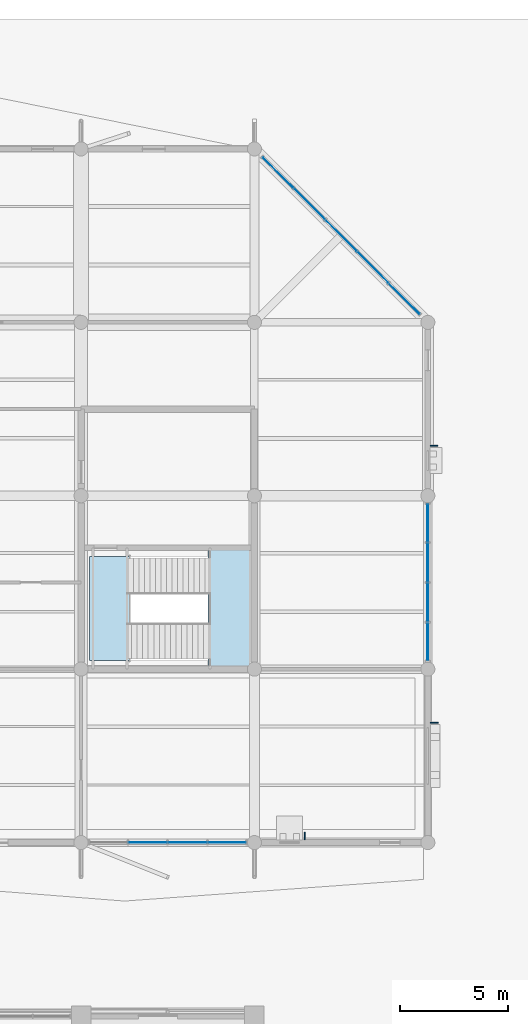
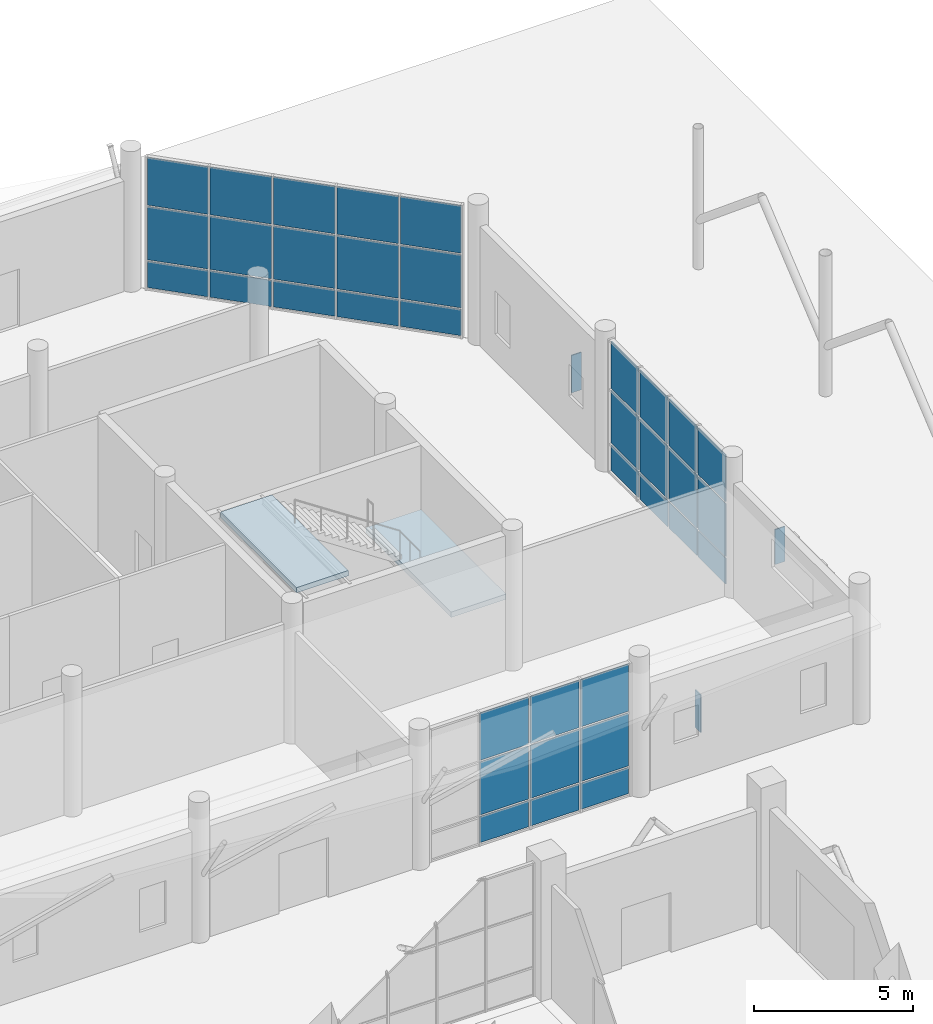
# One storey, part 92 of 123: 39 plates, 2 slabs, 4 elements without a shape of their own.
"""IFC4 building model written with IfcOpenShell, lengths in metres."""

from ifc_helpers import new_model, si_unit, direction, frame, origin, origin_2d, place, context, subcontext, project, spatial, polyline, rectangle, outline, extrude, material, layer, layer_set, type_object, element, aggregate, save


model = new_model("IFC4")

# Units and contexts
model_context = context("Model", 3, precision=1e-05, world=origin(), true_north=direction((0.0, 1.0)))
body_context = subcontext(model_context, "Body", "Model", "MODEL_VIEW")
ifc_project = project(units=[si_unit("LENGTHUNIT", "METRE"), si_unit("AREAUNIT", "SQUARE_METRE"), si_unit("VOLUMEUNIT", "CUBIC_METRE"), si_unit("PLANEANGLEUNIT", "RADIAN"), si_unit("MASSUNIT", "GRAM", prefix="KILO")], contexts=[model_context])

# Site, building, storey
site_placement = place(None, origin())
site = spatial("IfcSite", under=ifc_project, at=site_placement, CompositionType="ELEMENT")
building_placement = place(site_placement, origin())
building = spatial("IfcBuilding", under=site, at=building_placement, Name="Tenunan Teduh Sports Hall", CompositionType="ELEMENT")
storey_placement = place(building_placement, origin())
storey = spatial("IfcBuildingStorey", under=building, at=storey_placement, Name="L00", CompositionType="ELEMENT", Elevation=0.0)

# Curtain wall, plates
ifc_material_1 = material(Name="Anodised aluminium", Category="aluminium")
curtain_wall_type = type_object("IfcCurtainWallType", Name="CW-UNIT-1", PredefinedType="NOTDEFINED", material=ifc_material_1)
curtain_wall_1_placement = place(storey_placement, origin())
curtain_wall_1 = element("IfcCurtainWall", 1, at=curtain_wall_1_placement, inside=storey, type_object=curtain_wall_type, Name="CW-CWM-200-L00-236", PredefinedType="NOTDEFINED")
ifc_material_2 = material(Name="Low-E laminated double glazing", Category="glass")
ifc_layer_1 = layer(ifc_material_2, 0.028076171875)
ifc_layer_set_1 = layer_set([ifc_layer_1], Name="Low-E laminated double glazing")
plate_type_1 = type_object("IfcPlateType", Name="CWP-GLZ-28", PredefinedType="CURTAIN_PANEL", material=ifc_layer_set_1)
plate_1_placement = place(storey_placement, frame((149.081298828125, 86.0, 1.134765625), z_axis=(0.0, 0.0, 1.0), x_axis=(1.0, 0.0, 0.0)))
plate_1 = element("IfcPlate", 2, at=plate_1_placement, type_object=plate_type_1, Name="CW-01 panel 2.2", PredefinedType="CURTAIN_PANEL", context=body_context, shape_type="SweptSolid", body=[
    extrude(rectangle(XDim=1.767578125, YDim=0.028076171875, at=origin_2d()), origin(), (0.0, 0.0, 1.0), 2.030029296875),
])
plate_2_placement = place(storey_placement, frame((149.081298828125, 86.0, 3.235107421875), z_axis=(0.0, 0.0, 1.0), x_axis=(1.0, 0.0, 0.0)))
plate_2 = element("IfcPlate", 3, at=plate_2_placement, type_object=plate_type_1, Name="CW-01 panel 2.3", PredefinedType="CURTAIN_PANEL", context=body_context, shape_type="SweptSolid", body=[
    extrude(rectangle(XDim=1.767578125, YDim=0.028076171875, at=origin_2d()), origin(), (0.0, 0.0, 1.0), 1.81494140625),
])
plate_3_placement = place(storey_placement, frame((150.918701171875, 86.0, 1.134765625), z_axis=(0.0, 0.0, 1.0), x_axis=(1.0, 0.0, 0.0)))
plate_3 = element("IfcPlate", 4, at=plate_3_placement, type_object=plate_type_1, Name="CW-01 panel 3.2", PredefinedType="CURTAIN_PANEL", context=body_context, shape_type="SweptSolid", body=[
    extrude(rectangle(XDim=1.767578125, YDim=0.028076171875, at=origin_2d()), origin(), (0.0, 0.0, 1.0), 2.030029296875),
])
plate_4_placement = place(storey_placement, frame((150.918701171875, 86.0, 3.235107421875), z_axis=(0.0, 0.0, 1.0), x_axis=(1.0, 0.0, 0.0)))
plate_4 = element("IfcPlate", 5, at=plate_4_placement, type_object=plate_type_1, Name="CW-01 panel 3.3", PredefinedType="CURTAIN_PANEL", context=body_context, shape_type="SweptSolid", body=[
    extrude(rectangle(XDim=1.767578125, YDim=0.028076171875, at=origin_2d()), origin(), (0.0, 0.0, 1.0), 1.81494140625),
])
plate_5_placement = place(storey_placement, frame((152.73876953125, 86.0, 1.134765625), z_axis=(0.0, 0.0, 1.0), x_axis=(1.0, 0.0, 0.0)))
plate_5 = element("IfcPlate", 6, at=plate_5_placement, type_object=plate_type_1, Name="CW-01 panel 4.2", PredefinedType="CURTAIN_PANEL", context=body_context, shape_type="SweptSolid", body=[
    extrude(rectangle(XDim=1.732421875, YDim=0.028076171875, at=origin_2d()), origin(), (0.0, 0.0, 1.0), 2.030029296875),
])
plate_6_placement = place(storey_placement, frame((152.73876953125, 86.0, 3.235107421875), z_axis=(0.0, 0.0, 1.0), x_axis=(1.0, 0.0, 0.0)))
plate_6 = element("IfcPlate", 7, at=plate_6_placement, type_object=plate_type_1, Name="CW-01 panel 4.3", PredefinedType="CURTAIN_PANEL", context=body_context, shape_type="SweptSolid", body=[
    extrude(rectangle(XDim=1.732421875, YDim=0.028076171875, at=origin_2d()), origin(), (0.0, 0.0, 1.0), 1.81494140625),
])

curtain_wall_2_placement = place(storey_placement, origin())
curtain_wall_2 = element("IfcCurtainWall", 8, at=curtain_wall_2_placement, inside=storey, type_object=curtain_wall_type, Name="CW-CWM-175-L00-238", PredefinedType="NOTDEFINED")
plate_7_placement = place(storey_placement, frame((155.08447265625, 116.91552734375, 1.13232421875), z_axis=(0.0, 0.0, 1.0), x_axis=(0.707106781187, -0.707106781187, 0.0)))
plate_7 = element("IfcPlate", 9, at=plate_7_placement, type_object=plate_type_1, Name="CW-01 panel 1.2", PredefinedType="CURTAIN_PANEL", context=body_context, shape_type="SweptSolid", body=[
    extrude(rectangle(XDim=1.97216796875, YDim=0.028076171875, at=origin_2d()), origin(), (0.0, 0.0, 1.0), 2.034912109375),
])
plate_8_placement = place(storey_placement, frame((155.08447265625, 116.91552734375, 3.232421875), z_axis=(0.0, 0.0, 1.0), x_axis=(0.707106781187, -0.707106781187, 0.0)))
plate_8 = element("IfcPlate", 10, at=plate_8_placement, type_object=plate_type_1, Name="CW-01 panel 1.3", PredefinedType="CURTAIN_PANEL", context=body_context, shape_type="SweptSolid", body=[
    extrude(rectangle(XDim=1.97216796875, YDim=0.028076171875, at=origin_2d()), origin(), (0.0, 0.0, 1.0), 1.822509765625),
])
plate_9_placement = place(storey_placement, frame((156.53662109375, 115.46337890625, 1.13232421875), z_axis=(0.0, 0.0, 1.0), x_axis=(0.707106781187, -0.707106781187, 0.0)))
plate_9 = element("IfcPlate", 11, at=plate_9_placement, type_object=plate_type_1, Name="CW-01 panel 2.2", PredefinedType="CURTAIN_PANEL", context=body_context, shape_type="SweptSolid", body=[
    extrude(rectangle(XDim=2.004638671875, YDim=0.028076171875, at=origin_2d()), origin(), (0.0, 0.0, 1.0), 2.034912109375),
])
plate_10_placement = place(storey_placement, frame((156.53662109375, 115.46337890625, 3.232421875), z_axis=(0.0, 0.0, 1.0), x_axis=(0.707106781187, -0.707106781187, 0.0)))
plate_10 = element("IfcPlate", 12, at=plate_10_placement, type_object=plate_type_1, Name="CW-01 panel 2.3", PredefinedType="CURTAIN_PANEL", context=body_context, shape_type="SweptSolid", body=[
    extrude(rectangle(XDim=2.004638671875, YDim=0.028076171875, at=origin_2d()), origin(), (0.0, 0.0, 1.0), 1.822509765625),
])
plate_11_placement = place(storey_placement, frame((158.0, 114.0, 1.13232421875), z_axis=(0.0, 0.0, 1.0), x_axis=(0.707106781187, -0.707106781187, 0.0)))
plate_11 = element("IfcPlate", 13, at=plate_11_placement, type_object=plate_type_1, Name="CW-01 panel 3.2", PredefinedType="CURTAIN_PANEL", context=body_context, shape_type="SweptSolid", body=[
    extrude(rectangle(XDim=2.004638671875, YDim=0.028076171875, at=origin_2d()), origin(), (0.0, 0.0, 1.0), 2.034912109375),
])
plate_12_placement = place(storey_placement, frame((158.0, 114.0, 3.232421875), z_axis=(0.0, 0.0, 1.0), x_axis=(0.707106781187, -0.707106781187, 0.0)))
plate_12 = element("IfcPlate", 14, at=plate_12_placement, type_object=plate_type_1, Name="CW-01 panel 3.3", PredefinedType="CURTAIN_PANEL", context=body_context, shape_type="SweptSolid", body=[
    extrude(rectangle(XDim=2.004638671875, YDim=0.028076171875, at=origin_2d()), origin(), (0.0, 0.0, 1.0), 1.822509765625),
])
plate_13_placement = place(storey_placement, frame((159.46337890625, 112.53662109375, 1.13232421875), z_axis=(0.0, 0.0, 1.0), x_axis=(0.707106781187, -0.707106781187, 0.0)))
plate_13 = element("IfcPlate", 15, at=plate_13_placement, type_object=plate_type_1, Name="CW-01 panel 4.2", PredefinedType="CURTAIN_PANEL", context=body_context, shape_type="SweptSolid", body=[
    extrude(rectangle(XDim=2.004638671875, YDim=0.028076171875, at=origin_2d()), origin(), (0.0, 0.0, 1.0), 2.034912109375),
])
plate_14_placement = place(storey_placement, frame((159.46337890625, 112.53662109375, 3.232421875), z_axis=(0.0, 0.0, 1.0), x_axis=(0.707106781187, -0.707106781187, 0.0)))
plate_14 = element("IfcPlate", 16, at=plate_14_placement, type_object=plate_type_1, Name="CW-01 panel 4.3", PredefinedType="CURTAIN_PANEL", context=body_context, shape_type="SweptSolid", body=[
    extrude(rectangle(XDim=2.004638671875, YDim=0.028076171875, at=origin_2d()), origin(), (0.0, 0.0, 1.0), 1.822509765625),
])
plate_15_placement = place(storey_placement, frame((160.91552734375, 111.08447265625, 1.13232421875), z_axis=(0.0, 0.0, 1.0), x_axis=(0.707106781187, -0.707106781187, 0.0)))
plate_15 = element("IfcPlate", 17, at=plate_15_placement, type_object=plate_type_1, Name="CW-01 panel 5.2", PredefinedType="CURTAIN_PANEL", context=body_context, shape_type="SweptSolid", body=[
    extrude(rectangle(XDim=1.97216796875, YDim=0.028076171875, at=origin_2d()), origin(), (0.0, 0.0, 1.0), 2.034912109375),
])
plate_16_placement = place(storey_placement, frame((160.91552734375, 111.08447265625, 3.232421875), z_axis=(0.0, 0.0, 1.0), x_axis=(0.707106781187, -0.707106781187, 0.0)))
plate_16 = element("IfcPlate", 18, at=plate_16_placement, type_object=plate_type_1, Name="CW-01 panel 5.3", PredefinedType="CURTAIN_PANEL", context=body_context, shape_type="SweptSolid", body=[
    extrude(rectangle(XDim=1.97216796875, YDim=0.028076171875, at=origin_2d()), origin(), (0.0, 0.0, 1.0), 1.822509765625),
])

curtain_wall_3_placement = place(storey_placement, origin())
curtain_wall_3 = element("IfcCurtainWall", 19, at=curtain_wall_3_placement, inside=storey, type_object=curtain_wall_type, Name="CW-CWM-220-L00-237", PredefinedType="NOTDEFINED")
ifc_material_3 = material(Name="Solar-control laminated glazing", Category="glass")
ifc_layer_2 = layer(ifc_material_3, 0.031982421875)
ifc_layer_set_2 = layer_set([ifc_layer_2], Name="Solar-control laminated glazing")
plate_type_2 = type_object("IfcPlateType", Name="CWP-GLZ-32", PredefinedType="CURTAIN_PANEL", material=ifc_layer_set_2)
plate_17_placement = place(storey_placement, frame((162.0, 95.262451171875, 1.137451171875), z_axis=(0.0, 0.0, 1.0), x_axis=(0.0, 1.0, 0.0)))
plate_17 = element("IfcPlate", 20, at=plate_17_placement, type_object=plate_type_2, Name="CW-01 panel 1.2", PredefinedType="CURTAIN_PANEL", context=body_context, shape_type="SweptSolid", body=[
    extrude(rectangle(XDim=1.72509765625, YDim=0.031982421875, at=origin_2d()), origin(), (0.0, 0.0, 1.0), 2.02490234375),
])
plate_18_placement = place(storey_placement, frame((162.0, 95.262451171875, 3.237548828125), z_axis=(0.0, 0.0, 1.0), x_axis=(0.0, 1.0, 0.0)))
plate_18 = element("IfcPlate", 21, at=plate_18_placement, type_object=plate_type_2, Name="CW-01 panel 1.3", PredefinedType="CURTAIN_PANEL", context=body_context, shape_type="SweptSolid", body=[
    extrude(rectangle(XDim=1.72509765625, YDim=0.031982421875, at=origin_2d()), origin(), (0.0, 0.0, 1.0), 1.8076171875),
])
plate_19_placement = place(storey_placement, frame((162.0, 97.081298828125, 1.137451171875), z_axis=(0.0, 0.0, 1.0), x_axis=(0.0, 1.0, 0.0)))
plate_19 = element("IfcPlate", 22, at=plate_19_placement, type_object=plate_type_2, Name="CW-01 panel 2.2", PredefinedType="CURTAIN_PANEL", context=body_context, shape_type="SweptSolid", body=[
    extrude(rectangle(XDim=1.762451171875, YDim=0.031982421875, at=origin_2d()), origin(), (0.0, 0.0, 1.0), 2.02490234375),
])
plate_20_placement = place(storey_placement, frame((162.0, 97.081298828125, 3.237548828125), z_axis=(0.0, 0.0, 1.0), x_axis=(0.0, 1.0, 0.0)))
plate_20 = element("IfcPlate", 23, at=plate_20_placement, type_object=plate_type_2, Name="CW-01 panel 2.3", PredefinedType="CURTAIN_PANEL", context=body_context, shape_type="SweptSolid", body=[
    extrude(rectangle(XDim=1.762451171875, YDim=0.031982421875, at=origin_2d()), origin(), (0.0, 0.0, 1.0), 1.8076171875),
])
plate_21_placement = place(storey_placement, frame((162.0, 98.918701171875, 1.137451171875), z_axis=(0.0, 0.0, 1.0), x_axis=(0.0, 1.0, 0.0)))
plate_21 = element("IfcPlate", 24, at=plate_21_placement, type_object=plate_type_2, Name="CW-01 panel 3.2", PredefinedType="CURTAIN_PANEL", context=body_context, shape_type="SweptSolid", body=[
    extrude(rectangle(XDim=1.762451171875, YDim=0.031982421875, at=origin_2d()), origin(), (0.0, 0.0, 1.0), 2.02490234375),
])
plate_22_placement = place(storey_placement, frame((162.0, 98.918701171875, 3.237548828125), z_axis=(0.0, 0.0, 1.0), x_axis=(0.0, 1.0, 0.0)))
plate_22 = element("IfcPlate", 25, at=plate_22_placement, type_object=plate_type_2, Name="CW-01 panel 3.3", PredefinedType="CURTAIN_PANEL", context=body_context, shape_type="SweptSolid", body=[
    extrude(rectangle(XDim=1.762451171875, YDim=0.031982421875, at=origin_2d()), origin(), (0.0, 0.0, 1.0), 1.8076171875),
])
plate_23_placement = place(storey_placement, frame((162.0, 100.737548828125, 1.137451171875), z_axis=(0.0, 0.0, 1.0), x_axis=(0.0, 1.0, 0.0)))
plate_23 = element("IfcPlate", 26, at=plate_23_placement, type_object=plate_type_2, Name="CW-01 panel 4.2", PredefinedType="CURTAIN_PANEL", context=body_context, shape_type="SweptSolid", body=[
    extrude(rectangle(XDim=1.72509765625, YDim=0.031982421875, at=origin_2d()), origin(), (0.0, 0.0, 1.0), 2.02490234375),
])
plate_24_placement = place(storey_placement, frame((162.0, 100.737548828125, 3.237548828125), z_axis=(0.0, 0.0, 1.0), x_axis=(0.0, 1.0, 0.0)))
plate_24 = element("IfcPlate", 27, at=plate_24_placement, type_object=plate_type_2, Name="CW-01 panel 4.3", PredefinedType="CURTAIN_PANEL", context=body_context, shape_type="SweptSolid", body=[
    extrude(rectangle(XDim=1.72509765625, YDim=0.031982421875, at=origin_2d()), origin(), (0.0, 0.0, 1.0), 1.8076171875),
])

# Plate
ifc_material_4 = material(Name="Insulated aluminium spandrel panel", Category="aluminium")
ifc_layer_3 = layer(ifc_material_4, 0.044921875)
ifc_layer_set_3 = layer_set([ifc_layer_3], Name="Insulated aluminium spandrel panel")
plate_type_3 = type_object("IfcPlateType", Name="CWP-SPN-45", PredefinedType="CURTAIN_PANEL", material=ifc_layer_set_3)
plate_25_placement = place(storey_placement, frame((149.081298828125, 86.0, 0.06982421875), z_axis=(0.0, 0.0, 1.0), x_axis=(1.0, 0.0, 0.0)))
plate_25 = element("IfcPlate", 28, at=plate_25_placement, type_object=plate_type_3, Name="CW-01 panel 2.1", PredefinedType="CURTAIN_PANEL", context=body_context, shape_type="SweptSolid", body=[
    extrude(rectangle(XDim=1.767578125, YDim=0.028076171875, at=origin_2d()), origin(), (0.0, 0.0, 1.0), 0.9951171875),
])

plate_26_placement = place(storey_placement, frame((150.918701171875, 86.0, 0.06982421875), z_axis=(0.0, 0.0, 1.0), x_axis=(1.0, 0.0, 0.0)))
plate_26 = element("IfcPlate", 29, at=plate_26_placement, type_object=plate_type_3, Name="CW-01 panel 3.1", PredefinedType="CURTAIN_PANEL", context=body_context, shape_type="SweptSolid", body=[
    extrude(rectangle(XDim=1.767578125, YDim=0.028076171875, at=origin_2d()), origin(), (0.0, 0.0, 1.0), 0.9951171875),
])

plate_27_placement = place(storey_placement, frame((152.73876953125, 86.0, 0.06982421875), z_axis=(0.0, 0.0, 1.0), x_axis=(1.0, 0.0, 0.0)))
plate_27 = element("IfcPlate", 30, at=plate_27_placement, type_object=plate_type_3, Name="CW-01 panel 4.1", PredefinedType="CURTAIN_PANEL", context=body_context, shape_type="SweptSolid", body=[
    extrude(rectangle(XDim=1.732421875, YDim=0.028076171875, at=origin_2d()), origin(), (0.0, 0.0, 1.0), 0.9951171875),
])

aggregate(curtain_wall_1, [plate_25, plate_1, plate_2, plate_26, plate_3, plate_4, plate_27, plate_5, plate_6])

plate_28_placement = place(storey_placement, frame((162.0, 95.262451171875, 0.0751953125), z_axis=(0.0, 0.0, 1.0), x_axis=(0.0, 1.0, 0.0)))
plate_28 = element("IfcPlate", 31, at=plate_28_placement, type_object=plate_type_3, Name="CW-01 panel 1.1", PredefinedType="CURTAIN_PANEL", context=body_context, shape_type="SweptSolid", body=[
    extrude(rectangle(XDim=1.72509765625, YDim=0.031982421875, at=origin_2d()), origin(), (0.0, 0.0, 1.0), 0.987548828125),
])

plate_29_placement = place(storey_placement, frame((162.0, 97.081298828125, 0.0751953125), z_axis=(0.0, 0.0, 1.0), x_axis=(0.0, 1.0, 0.0)))
plate_29 = element("IfcPlate", 32, at=plate_29_placement, type_object=plate_type_3, Name="CW-01 panel 2.1", PredefinedType="CURTAIN_PANEL", context=body_context, shape_type="SweptSolid", body=[
    extrude(rectangle(XDim=1.762451171875, YDim=0.031982421875, at=origin_2d()), origin(), (0.0, 0.0, 1.0), 0.987548828125),
])

plate_30_placement = place(storey_placement, frame((162.0, 98.918701171875, 0.0751953125), z_axis=(0.0, 0.0, 1.0), x_axis=(0.0, 1.0, 0.0)))
plate_30 = element("IfcPlate", 33, at=plate_30_placement, type_object=plate_type_3, Name="CW-01 panel 3.1", PredefinedType="CURTAIN_PANEL", context=body_context, shape_type="SweptSolid", body=[
    extrude(rectangle(XDim=1.762451171875, YDim=0.031982421875, at=origin_2d()), origin(), (0.0, 0.0, 1.0), 0.987548828125),
])

plate_31_placement = place(storey_placement, frame((162.0, 100.737548828125, 0.0751953125), z_axis=(0.0, 0.0, 1.0), x_axis=(0.0, 1.0, 0.0)))
plate_31 = element("IfcPlate", 34, at=plate_31_placement, type_object=plate_type_3, Name="CW-01 panel 4.1", PredefinedType="CURTAIN_PANEL", context=body_context, shape_type="SweptSolid", body=[
    extrude(rectangle(XDim=1.72509765625, YDim=0.031982421875, at=origin_2d()), origin(), (0.0, 0.0, 1.0), 0.987548828125),
])

aggregate(curtain_wall_3, [plate_28, plate_17, plate_18, plate_29, plate_19, plate_20, plate_30, plate_21, plate_22, plate_31, plate_23, plate_24])

plate_32_placement = place(storey_placement, frame((155.08447265625, 116.91552734375, 0.06494140625), z_axis=(0.0, 0.0, 1.0), x_axis=(0.707106781187, -0.707106781187, 0.0)))
plate_32 = element("IfcPlate", 35, at=plate_32_placement, type_object=plate_type_3, Name="CW-01 panel 1.1", PredefinedType="CURTAIN_PANEL", context=body_context, shape_type="SweptSolid", body=[
    extrude(rectangle(XDim=1.97216796875, YDim=0.028076171875, at=origin_2d()), origin(), (0.0, 0.0, 1.0), 1.00244140625),
])

plate_33_placement = place(storey_placement, frame((156.53662109375, 115.46337890625, 0.06494140625), z_axis=(0.0, 0.0, 1.0), x_axis=(0.707106781187, -0.707106781187, 0.0)))
plate_33 = element("IfcPlate", 36, at=plate_33_placement, type_object=plate_type_3, Name="CW-01 panel 2.1", PredefinedType="CURTAIN_PANEL", context=body_context, shape_type="SweptSolid", body=[
    extrude(rectangle(XDim=2.004638671875, YDim=0.028076171875, at=origin_2d()), origin(), (0.0, 0.0, 1.0), 1.00244140625),
])

plate_34_placement = place(storey_placement, frame((158.0, 114.0, 0.06494140625), z_axis=(0.0, 0.0, 1.0), x_axis=(0.707106781187, -0.707106781187, 0.0)))
plate_34 = element("IfcPlate", 37, at=plate_34_placement, type_object=plate_type_3, Name="CW-01 panel 3.1", PredefinedType="CURTAIN_PANEL", context=body_context, shape_type="SweptSolid", body=[
    extrude(rectangle(XDim=2.004638671875, YDim=0.028076171875, at=origin_2d()), origin(), (0.0, 0.0, 1.0), 1.00244140625),
])

plate_35_placement = place(storey_placement, frame((159.46337890625, 112.53662109375, 0.06494140625), z_axis=(0.0, 0.0, 1.0), x_axis=(0.707106781187, -0.707106781187, 0.0)))
plate_35 = element("IfcPlate", 38, at=plate_35_placement, type_object=plate_type_3, Name="CW-01 panel 4.1", PredefinedType="CURTAIN_PANEL", context=body_context, shape_type="SweptSolid", body=[
    extrude(rectangle(XDim=2.004638671875, YDim=0.028076171875, at=origin_2d()), origin(), (0.0, 0.0, 1.0), 1.00244140625),
])

plate_36_placement = place(storey_placement, frame((160.91552734375, 111.08447265625, 0.06494140625), z_axis=(0.0, 0.0, 1.0), x_axis=(0.707106781187, -0.707106781187, 0.0)))
plate_36 = element("IfcPlate", 39, at=plate_36_placement, type_object=plate_type_3, Name="CW-01 panel 5.1", PredefinedType="CURTAIN_PANEL", context=body_context, shape_type="SweptSolid", body=[
    extrude(rectangle(XDim=1.97216796875, YDim=0.028076171875, at=origin_2d()), origin(), (0.0, 0.0, 1.0), 1.00244140625),
])

aggregate(curtain_wall_2, [plate_32, plate_7, plate_8, plate_33, plate_9, plate_10, plate_34, plate_11, plate_12, plate_35, plate_13, plate_14, plate_36, plate_15, plate_16])

# Plates
ifc_material_5 = material(Name="Anodised aluminium", Category="aluminium")
ifc_layer_4 = layer(ifc_material_5, 1.89990234375)
ifc_layer_set_4 = layer_set([ifc_layer_4], Name="Anodised aluminium")
plate_type_4 = type_object("IfcPlateType", Name="PLT-FIN-1", PredefinedType="SHEET", material=ifc_layer_set_4)
plate_37_placement = place(storey_placement, frame((156.31494140625, 86.304931640625, 1.380126953125), z_axis=(0.0, 0.0, 1.0), x_axis=(1.0, 0.0, 0.0)))
element("IfcPlate", 40, at=plate_37_placement, inside=storey, type_object=plate_type_4, Name="PLT-FIN-L00-074", PredefinedType="SHEET", context=body_context, shape_type="SweptSolid", body=[
    extrude(rectangle(XDim=0.0400390625, YDim=0.360107421875, at=origin_2d()), origin(), (0.0, 0.0, 1.0), 1.43994140625),
])
plate_38_placement = place(storey_placement, frame((162.300048828125, 91.534912109375, 2.52978515625), z_axis=(0.0, 0.0, 1.0), x_axis=(0.0, 1.0, 0.0)))
element("IfcPlate", 41, at=plate_38_placement, inside=storey, type_object=plate_type_4, Name="PLT-FIN-L00-075", PredefinedType="SHEET", context=body_context, shape_type="SweptSolid", body=[
    extrude(rectangle(XDim=0.0400390625, YDim=0.360107421875, at=origin_2d()), origin(), (0.0, 0.0, 1.0), 1.340087890625),
])
plate_39_placement = place(storey_placement, frame((162.284912109375, 104.31494140625, 1.380126953125), z_axis=(0.0, 0.0, 1.0), x_axis=(0.0, 1.0, 0.0)))
element("IfcPlate", 42, at=plate_39_placement, inside=storey, type_object=plate_type_4, Name="PLT-FIN-L00-076", PredefinedType="SHEET", context=body_context, shape_type="SweptSolid", body=[
    extrude(rectangle(XDim=0.0400390625, YDim=0.360107421875, at=origin_2d()), origin(), (0.0, 0.0, 1.0), 1.43994140625),
])

# Stair, slabs
ifc_material_6 = material(Name="Precast concrete C40/50", Category="concrete")
stair_type = type_object("IfcStairType", Name="STR-CORE-42", PredefinedType="HALF_TURN_STAIR", material=ifc_material_6)
stair_placement = place(storey_placement, origin())
stair = element("IfcStair", 43, at=stair_placement, inside=storey, type_object=stair_type, Name="STR-E2-L00", PredefinedType="HALF_TURN_STAIR")
ifc_material_7 = material(Name="Precast concrete C40/50", Category="concrete")
ifc_layer_5 = layer(ifc_material_7, 0.199951171875)
ifc_layer_set_5 = layer_set([ifc_layer_5], Name="Precast concrete C40/50")
slab_type = type_object("IfcSlabType", Name="SLB-LND-200", PredefinedType="LANDING", material=ifc_layer_set_5)
slab_1_placement = place(storey_placement, frame((0.0, 0.0, 2.5)))
slab_1 = element("IfcSlab", 44, at=slab_1_placement, type_object=slab_type, Name="ST-19 landing 1", PredefinedType="LANDING", context=body_context, shape_type="SweptSolid", body=[
    extrude(outline(polyline([(151.864990234375, 94.139892578125), (153.860107421875, 94.139892578125), (153.860107421875, 99.5), (151.864990234375, 99.5), (151.864990234375, 94.139892578125)])), origin(), (0.0, 0.0, 1.0), 0.199951171875),
])
slab_2_placement = place(storey_placement, frame((0.0, 0.0, 5.199951171875)))
slab_2 = element("IfcSlab", 45, at=slab_2_placement, type_object=slab_type, Name="ST-19 landing 2", PredefinedType="LANDING", context=body_context, shape_type="SweptSolid", body=[
    extrude(outline(polyline([(146.39990234375, 94.39990234375), (148.280029296875, 94.39990234375), (148.280029296875, 99.199951171875), (146.39990234375, 99.199951171875), (146.39990234375, 94.39990234375)])), origin(), (0.0, 0.0, 1.0), 0.199951171875),
])
aggregate(stair, [slab_1, slab_2])

save(model, "model.ifc")
